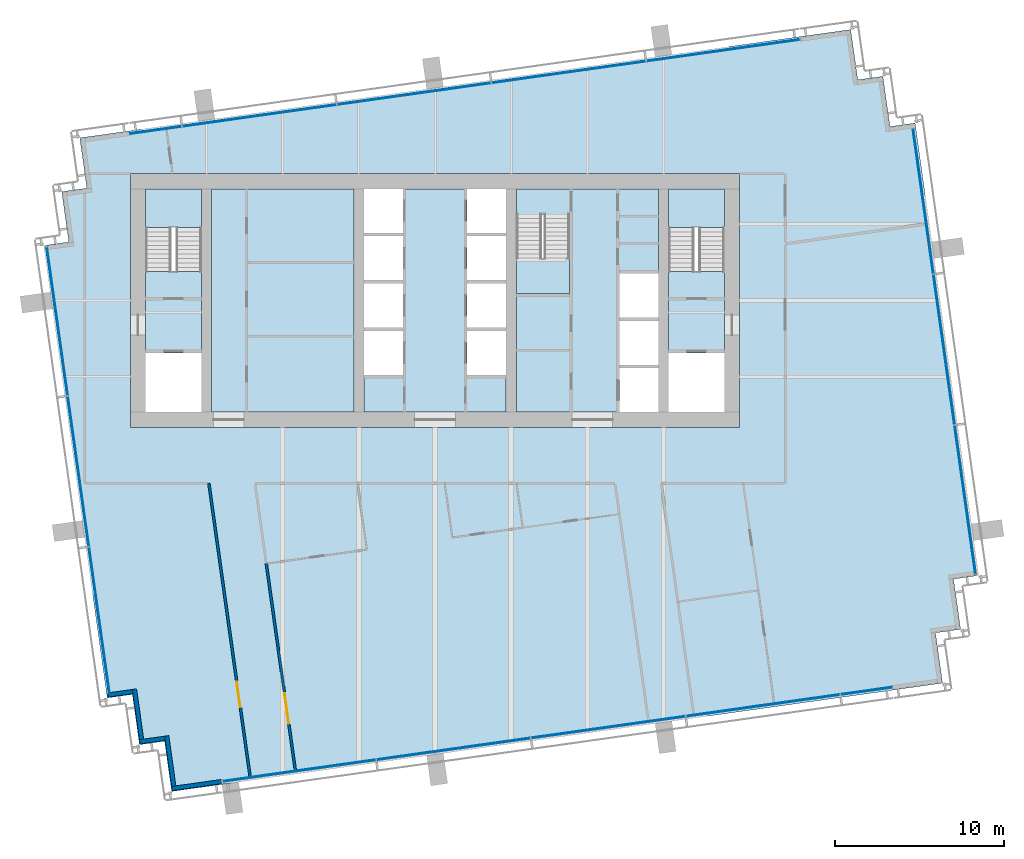
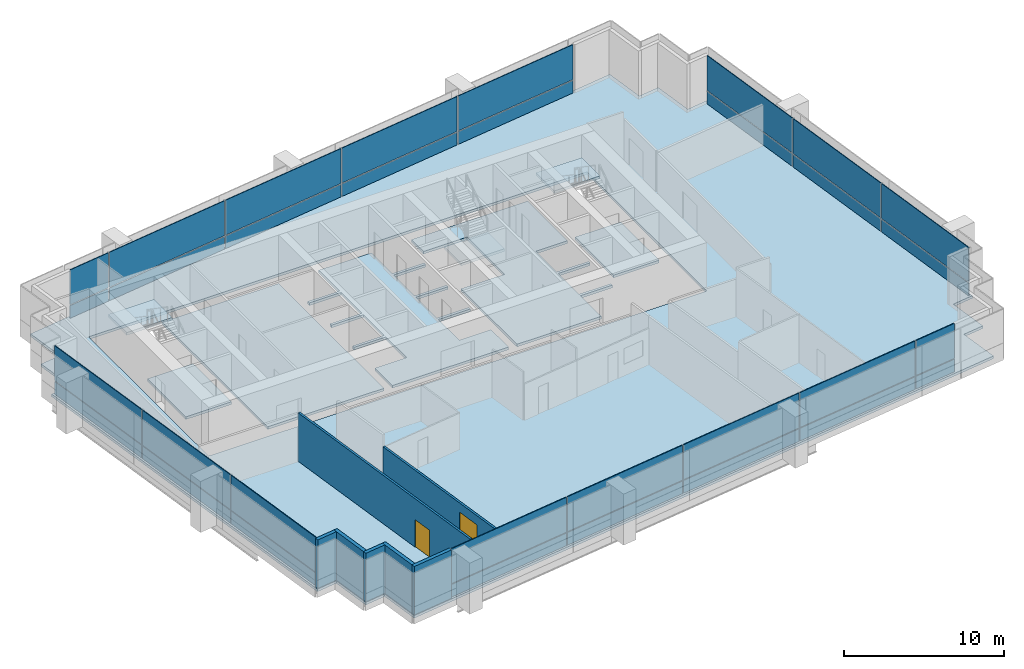
# One storey, part 8 of 17: 32 plates, 9 slabs, 7 walls, 2 doors, 2 openings, 7 elements without a shape of their own.
"""IFC4 building model written with IfcOpenShell, lengths in metres."""

from ifc_helpers import new_model, si_unit, direction, frame, frame_2d, origin, origin_2d, place, context, subcontext, project, spatial, polyline, rectangle, outline, extrude, material, layer, layer_set, type_object, element, fill, aggregate, save


model = new_model("IFC4")

# Units and contexts
model_context = context("Model", 3, precision=1e-05, world=origin(), true_north=direction((0.0, 1.0)))
body_context = subcontext(model_context, "Body", "Model", "MODEL_VIEW")
ifc_project = project(units=[si_unit("LENGTHUNIT", "METRE"), si_unit("AREAUNIT", "SQUARE_METRE"), si_unit("VOLUMEUNIT", "CUBIC_METRE"), si_unit("PLANEANGLEUNIT", "RADIAN"), si_unit("MASSUNIT", "GRAM", prefix="KILO")], contexts=[model_context])

# Site, building, storey
site_placement = place(None, origin())
site = spatial("IfcSite", under=ifc_project, at=site_placement, CompositionType="ELEMENT")
building_placement = place(site_placement, origin())
building = spatial("IfcBuilding", under=site, at=building_placement, Name="Rattan Terrace Tower", CompositionType="ELEMENT")
storey_placement = place(building_placement, frame((0.0, 0.0, 221.300048828125)))
storey = spatial("IfcBuildingStorey", under=building, at=storey_placement, Name="L50", CompositionType="ELEMENT", Elevation=221.300048828125)

# Stair, slab
ifc_material_1 = material(Name="Concrete C40/50", Category="concrete")
stair_type = type_object("IfcStairType", Name="Core exit stair 1500", PredefinedType="HALF_TURN_STAIR", material=ifc_material_1)
stair_1_placement = place(storey_placement, origin())
stair_1 = element("IfcStair", 1, at=stair_1_placement, inside=storey, type_object=stair_type, Name="L50 exit stair 1", PredefinedType="HALF_TURN_STAIR")
ifc_material_2 = material(Name="Concrete C40/50", Category="concrete")
ifc_layer_1 = layer(ifc_material_2, 0.199951171875)
ifc_layer_set_1 = layer_set([ifc_layer_1], Name="Core exit stair landing")
slab_type_1 = type_object("IfcSlabType", Name="Core exit stair landing", PredefinedType="LANDING", material=ifc_layer_set_1)
slab_1_placement = place(storey_placement, frame((0.0, 0.0, 1.75)))
slab_1 = element("IfcSlab", 2, at=slab_1_placement, type_object=slab_type_1, Name="S1 landing 1", PredefinedType="LANDING", context=body_context, shape_type="SweptSolid", body=[
    extrude(outline(polyline([(-13.800048828125, 4.300048828125), (-13.800048828125, 6.60009765625), (-17.10009765625, 6.60009765625), (-17.10009765625, 4.300048828125), (-13.800048828125, 4.300048828125)])), origin(), (0.0, 0.0, 1.0), 0.199951171875),
])
aggregate(stair_1, [slab_1])

stair_2_placement = place(storey_placement, origin())
stair_2 = element("IfcStair", 3, at=stair_2_placement, inside=storey, type_object=stair_type, Name="L50 exit stair 2", PredefinedType="HALF_TURN_STAIR")
slab_2_placement = place(storey_placement, frame((0.0, 0.0, 1.75)))
slab_2 = element("IfcSlab", 4, at=slab_2_placement, type_object=slab_type_1, Name="S2 landing 1", PredefinedType="LANDING", context=body_context, shape_type="SweptSolid", body=[
    extrude(outline(polyline([(17.10009765625, 4.300048828125), (17.10009765625, 6.60009765625), (13.800048828125, 6.60009765625), (13.800048828125, 4.300048828125), (17.10009765625, 4.300048828125)])), origin(), (0.0, 0.0, 1.0), 0.199951171875),
])
aggregate(stair_2, [slab_2])

stair_3_placement = place(storey_placement, origin())
stair_3 = element("IfcStair", 5, at=stair_3_placement, inside=storey, type_object=stair_type, Name="L50 exit stair 3", PredefinedType="HALF_TURN_STAIR")
slab_3_placement = place(storey_placement, frame((0.0, 0.0, 1.75)))
slab_3 = element("IfcSlab", 6, at=slab_3_placement, type_object=slab_type_1, Name="S3 landing 1", PredefinedType="LANDING", context=body_context, shape_type="SweptSolid", body=[
    extrude(outline(polyline([(4.800048828125, 2.5), (4.800048828125, 0.39990234375), (7.949951171875, 0.39990234375), (7.949951171875, 2.5), (4.800048828125, 2.5)])), origin(), (0.0, 0.0, 1.0), 0.199951171875),
])
aggregate(stair_3, [slab_3])

# Slabs
ifc_material_3 = material(Name="Concrete C35/45", Category="concrete")
ifc_layer_2 = layer(ifc_material_3, 0.199951171875)
ifc_layer_set_2 = layer_set([ifc_layer_2], Name="Frame composite floor slab 200")
slab_type_2 = type_object("IfcSlabType", Name="Frame composite floor slab 200", PredefinedType="FLOOR", material=ifc_layer_set_2)
slab_4_placement = place(storey_placement, frame((0.0, 0.0, -0.199951171875)))
element("IfcSlab", 7, at=slab_4_placement, inside=storey, type_object=slab_type_2, Name="Floor slab", PredefinedType="FLOOR", context=body_context, shape_type="SweptSolid", body=[
    extrude(outline(polyline([(-12.591064453125, -28.593994140625), (27.01904296875, -23.027099609375), (29.989990234375, -22.60888671875), (29.572998046875, -19.637939453125), (31.05810546875, -19.429931640625), (30.639892578125, -16.458984375), (32.1259765625, -16.25), (28.367919921875, 10.487060546875), (26.883056640625, 10.278076171875), (26.465087890625, 13.2490234375), (24.97998046875, 13.0400390625), (24.56201171875, 16.010986328125), (21.591064453125, 15.593994140625), (-18.01904296875, 10.027099609375), (-20.989990234375, 9.60888671875), (-20.572998046875, 6.637939453125), (-22.05810546875, 6.429931640625), (-21.639892578125, 3.458984375), (-23.1259765625, 3.25), (-19.367919921875, -23.487060546875), (-17.883056640625, -23.278076171875), (-17.465087890625, -26.2490234375), (-15.97998046875, -26.0400390625), (-15.56201171875, -29.010986328125), (-12.591064453125, -28.593994140625)]), holes=[polyline([(-18.0, -7.5), (18.0, -7.5), (18.0, -6.60009765625), (18.0, 6.60009765625), (18.0, 7.5), (-18.0, 7.5), (-18.0, 6.60009765625), (-18.0, -6.60009765625), (-18.0, -7.5)])]), origin(), (0.0, 0.0, 1.0), 0.199951171875),
])
slab_5_placement = place(storey_placement, frame((0.0, 0.0, -0.199951171875)))
element("IfcSlab", 8, at=slab_5_placement, inside=storey, type_object=slab_type_2, Name="Floor slab", PredefinedType="FLOOR", context=body_context, shape_type="SweptSolid", body=[
    extrude(outline(polyline([(13.199951171875, 6.60009765625), (4.800048828125, 6.60009765625), (4.800048828125, 5.090087890625), (7.949951171875, 5.090087890625), (7.949951171875, 0.39990234375), (4.800048828125, 0.39990234375), (4.800048828125, -6.60009765625), (10.89990234375, -6.60009765625), (10.89990234375, -4.0), (13.199951171875, -4.0), (13.199951171875, -3.800048828125), (10.89990234375, -3.800048828125), (10.89990234375, -1.199951171875), (13.199951171875, -1.199951171875), (13.199951171875, -1.0), (10.89990234375, -1.0), (10.89990234375, 1.60009765625), (13.199951171875, 1.60009765625), (13.199951171875, 6.60009765625)])), origin(), (0.0, 0.0, 1.0), 0.199951171875),
])
slab_6_placement = place(storey_placement, frame((0.0, 0.0, -0.199951171875)))
element("IfcSlab", 9, at=slab_6_placement, inside=storey, type_object=slab_type_2, Name="Floor slab", PredefinedType="FLOOR", context=body_context, shape_type="SweptSolid", body=[
    extrude(outline(polyline([(1.89990234375, 6.60009765625), (-1.89990234375, 6.60009765625), (-1.89990234375, 4.0), (-4.199951171875, 4.0), (-4.199951171875, 3.800048828125), (-1.89990234375, 3.800048828125), (-1.89990234375, 1.199951171875), (-4.199951171875, 1.199951171875), (-4.199951171875, 1.0), (-1.89990234375, 1.0), (-1.89990234375, -1.60009765625), (-4.199951171875, -1.60009765625), (-4.199951171875, -1.800048828125), (-1.89990234375, -1.800048828125), (-1.89990234375, -4.39990234375), (-4.199951171875, -4.39990234375), (-4.199951171875, -6.60009765625), (4.199951171875, -6.60009765625), (4.199951171875, -4.39990234375), (1.89990234375, -4.39990234375), (1.89990234375, -1.800048828125), (4.199951171875, -1.800048828125), (4.199951171875, -1.60009765625), (1.89990234375, -1.60009765625), (1.89990234375, 1.0), (4.199951171875, 1.0), (4.199951171875, 1.199951171875), (1.89990234375, 1.199951171875), (1.89990234375, 3.800048828125), (4.199951171875, 3.800048828125), (4.199951171875, 4.0), (1.89990234375, 4.0), (1.89990234375, 6.60009765625)])), origin(), (0.0, 0.0, 1.0), 0.199951171875),
])
slab_7_placement = place(storey_placement, frame((0.0, 0.0, -0.199951171875)))
element("IfcSlab", 10, at=slab_7_placement, inside=storey, type_object=slab_type_2, Name="Floor slab", PredefinedType="FLOOR", context=body_context, shape_type="SweptSolid", body=[
    extrude(outline(polyline([(-17.10009765625, -3.10009765625), (-13.800048828125, -3.10009765625), (-13.800048828125, 1.7099609375), (-17.10009765625, 1.7099609375), (-17.10009765625, -3.10009765625)])), origin(), (0.0, 0.0, 1.0), 0.199951171875),
])
slab_8_placement = place(storey_placement, frame((0.0, 0.0, -0.199951171875)))
element("IfcSlab", 11, at=slab_8_placement, inside=storey, type_object=slab_type_2, Name="Floor slab", PredefinedType="FLOOR", context=body_context, shape_type="SweptSolid", body=[
    extrude(outline(polyline([(-4.800048828125, -6.60009765625), (-4.800048828125, 6.60009765625), (-13.199951171875, 6.60009765625), (-13.199951171875, -6.60009765625), (-4.800048828125, -6.60009765625)])), origin(), (0.0, 0.0, 1.0), 0.199951171875),
])
slab_9_placement = place(storey_placement, frame((0.0, 0.0, -0.199951171875)))
element("IfcSlab", 12, at=slab_9_placement, inside=storey, type_object=slab_type_2, Name="Floor slab", PredefinedType="FLOOR", context=body_context, shape_type="SweptSolid", body=[
    extrude(outline(polyline([(13.800048828125, -3.10009765625), (17.10009765625, -3.10009765625), (17.10009765625, 1.7099609375), (13.800048828125, 1.7099609375), (13.800048828125, -3.10009765625)])), origin(), (0.0, 0.0, 1.0), 0.199951171875),
])

# Curtain wall, plates
ifc_material_4 = material(Name="Aluminium and laminated glass", Category="aluminium")
ifc_layer_3 = layer(ifc_material_4, 0.199951171875)
ifc_layer_set_3 = layer_set([ifc_layer_3], Name="High-Zone Unitised Curtain Wall")
curtain_wall_type = type_object("IfcCurtainWallType", Name="High-Zone Unitised Curtain Wall", PredefinedType="NOTDEFINED", material=ifc_layer_set_3)
curtain_wall_1_placement = place(storey_placement, origin())
curtain_wall_1 = element("IfcCurtainWall", 13, at=curtain_wall_1_placement, inside=storey, type_object=curtain_wall_type, Name="High-zone curtain wall L50-1", PredefinedType="NOTDEFINED")
ifc_material_5 = material(Name="Aluminium insulated spandrel panel", Category="aluminium")
ifc_layer_4 = layer(ifc_material_5, 0.050048828125)
ifc_layer_set_4 = layer_set([ifc_layer_4], Name="High-Zone CW Spandrel Panel")
plate_type_1 = type_object("IfcPlateType", Name="High-Zone CW Spandrel Panel", PredefinedType="CURTAIN_PANEL", material=ifc_layer_set_4)
plate_1_placement = place(storey_placement, frame((31.32568359375, -11.77783203125, 0.0), z_axis=(0.0, 0.0, 1.0), x_axis=(-0.139186165309, 0.990266232579, 0.0)))
plate_1 = element("IfcPlate", 14, at=plate_1_placement, type_object=plate_type_1, Name="Panel cwl-L50-001.1.1", PredefinedType="CURTAIN_PANEL", context=body_context, shape_type="SweptSolid", body=[
    extrude(rectangle(XDim=8.85009765625, YDim=0.050048828125, at=origin_2d()), origin(), (0.0, 0.0, 1.0), 0.965087890625),
])
plate_2_placement = place(storey_placement, frame((30.07861328125, -2.905029296875, 0.0), z_axis=(0.0, 0.0, 1.0), x_axis=(-0.139186165309, 0.990266232579, 0.0)))
plate_2 = element("IfcPlate", 15, at=plate_2_placement, type_object=plate_type_1, Name="Panel cwl-L50-001.2.1", PredefinedType="CURTAIN_PANEL", context=body_context, shape_type="SweptSolid", body=[
    extrude(rectangle(XDim=8.929931640625, YDim=0.050048828125, at=origin_2d()), origin(), (0.0, 0.0, 1.0), 0.965087890625),
])
plate_3_placement = place(storey_placement, frame((28.843994140625, 5.87841796875, 0.0), z_axis=(0.0, 0.0, 1.0), x_axis=(-0.139186165309, 0.990266232579, 0.0)))
plate_3 = element("IfcPlate", 16, at=plate_3_placement, type_object=plate_type_1, Name="Panel cwl-L50-001.3.1", PredefinedType="CURTAIN_PANEL", context=body_context, shape_type="SweptSolid", body=[
    extrude(rectangle(XDim=8.669677734375, YDim=0.050048828125, at=origin_2d()), origin(), (0.0, 0.0, 1.0), 0.965087890625),
])

curtain_wall_2_placement = place(storey_placement, origin())
curtain_wall_2 = element("IfcCurtainWall", 17, at=curtain_wall_2_placement, inside=storey, type_object=curtain_wall_type, Name="High-zone curtain wall L50-2", PredefinedType="NOTDEFINED")
plate_4_placement = place(storey_placement, frame((17.02685546875, 14.78076171875, 0.0), z_axis=(0.0, 0.0, 1.0), x_axis=(-0.990267457022, -0.139177453499, 0.0)))
plate_4 = element("IfcPlate", 18, at=plate_4_placement, type_object=plate_type_1, Name="Panel cwl-L50-002.1.1", PredefinedType="CURTAIN_PANEL", context=body_context, shape_type="SweptSolid", body=[
    extrude(rectangle(XDim=9.1259765625, YDim=0.050048828125, at=origin_2d()), origin(), (0.0, 0.0, 1.0), 0.965087890625),
])
plate_5_placement = place(storey_placement, frame((7.90283203125, 13.49853515625, 0.0), z_axis=(0.0, 0.0, 1.0), x_axis=(-0.990267457022, -0.139177453499, 0.0)))
plate_5 = element("IfcPlate", 19, at=plate_5_placement, type_object=plate_type_1, Name="Panel cwl-L50-002.2.1", PredefinedType="CURTAIN_PANEL", context=body_context, shape_type="SweptSolid", body=[
    extrude(rectangle(XDim=9.160888671875, YDim=0.050048828125, at=origin_2d()), origin(), (0.0, 0.0, 1.0), 0.965087890625),
])
plate_6_placement = place(storey_placement, frame((-1.23828125, 12.2138671875, 0.0), z_axis=(0.0, 0.0, 1.0), x_axis=(-0.990267457022, -0.139177453499, 0.0)))
plate_6 = element("IfcPlate", 20, at=plate_6_placement, type_object=plate_type_1, Name="Panel cwl-L50-002.3.1", PredefinedType="CURTAIN_PANEL", context=body_context, shape_type="SweptSolid", body=[
    extrude(rectangle(XDim=9.160888671875, YDim=0.050048828125, at=origin_2d()), origin(), (0.0, 0.0, 1.0), 0.965087890625),
])
plate_7_placement = place(storey_placement, frame((-10.37939453125, 10.928955078125, 0.0), z_axis=(0.0, 0.0, 1.0), x_axis=(-0.990267457022, -0.139177453499, 0.0)))
plate_7 = element("IfcPlate", 21, at=plate_7_placement, type_object=plate_type_1, Name="Panel cwl-L50-002.4.1", PredefinedType="CURTAIN_PANEL", context=body_context, shape_type="SweptSolid", body=[
    extrude(rectangle(XDim=9.160888671875, YDim=0.050048828125, at=origin_2d()), origin(), (0.0, 0.0, 1.0), 0.965087890625),
])
plate_8_placement = place(storey_placement, frame((-16.489990234375, 10.0703125, 0.0), z_axis=(0.0, 0.0, 1.0), x_axis=(-0.990267457022, -0.139177453499, 0.0)))
plate_8 = element("IfcPlate", 22, at=plate_8_placement, type_object=plate_type_1, Name="Panel cwl-L50-002.5.1", PredefinedType="CURTAIN_PANEL", context=body_context, shape_type="SweptSolid", body=[
    extrude(rectangle(XDim=3.040283203125, YDim=0.050048828125, at=origin_2d()), origin(), (0.0, 0.0, 1.0), 0.965087890625),
])

curtain_wall_3_placement = place(storey_placement, origin())
curtain_wall_3 = element("IfcCurtainWall", 23, at=curtain_wall_3_placement, inside=storey, type_object=curtain_wall_type, Name="High-zone curtain wall L50-3", PredefinedType="NOTDEFINED")
plate_9_placement = place(storey_placement, frame((-22.32568359375, -1.22216796875, 0.0), z_axis=(0.0, 0.0, 1.0), x_axis=(0.139186165309, -0.990266232579, 0.0)))
plate_9 = element("IfcPlate", 24, at=plate_9_placement, type_object=plate_type_1, Name="Panel cwl-L50-003.1.1", PredefinedType="CURTAIN_PANEL", context=body_context, shape_type="SweptSolid", body=[
    extrude(rectangle(XDim=8.85009765625, YDim=0.050048828125, at=origin_2d()), origin(), (0.0, 0.0, 1.0), 0.965087890625),
])
plate_10_placement = place(storey_placement, frame((-21.07861328125, -10.094970703125, 0.0), z_axis=(0.0, 0.0, 1.0), x_axis=(0.139186165309, -0.990266232579, 0.0)))
plate_10 = element("IfcPlate", 25, at=plate_10_placement, type_object=plate_type_1, Name="Panel cwl-L50-003.2.1", PredefinedType="CURTAIN_PANEL", context=body_context, shape_type="SweptSolid", body=[
    extrude(rectangle(XDim=8.929931640625, YDim=0.050048828125, at=origin_2d()), origin(), (0.0, 0.0, 1.0), 0.965087890625),
])
plate_11_placement = place(storey_placement, frame((-19.843994140625, -18.87841796875, 0.0), z_axis=(0.0, 0.0, 1.0), x_axis=(0.139186165309, -0.990266232579, 0.0)))
plate_11 = element("IfcPlate", 26, at=plate_11_placement, type_object=plate_type_1, Name="Panel cwl-L50-003.3.1", PredefinedType="CURTAIN_PANEL", context=body_context, shape_type="SweptSolid", body=[
    extrude(rectangle(XDim=8.669677734375, YDim=0.050048828125, at=origin_2d()), origin(), (0.0, 0.0, 1.0), 0.965087890625),
])

curtain_wall_4_placement = place(storey_placement, origin())
curtain_wall_4 = element("IfcCurtainWall", 27, at=curtain_wall_4_placement, inside=storey, type_object=curtain_wall_type, Name="High-zone curtain wall L50-4", PredefinedType="NOTDEFINED")
plate_12_placement = place(storey_placement, frame((-8.02685546875, -27.78076171875, 0.0), z_axis=(0.0, 0.0, 1.0), x_axis=(0.990267457022, 0.139177453499, 0.0)))
plate_12 = element("IfcPlate", 28, at=plate_12_placement, type_object=plate_type_1, Name="Panel cwl-L50-004.1.1", PredefinedType="CURTAIN_PANEL", context=body_context, shape_type="SweptSolid", body=[
    extrude(rectangle(XDim=9.1259765625, YDim=0.050048828125, at=origin_2d()), origin(), (0.0, 0.0, 1.0), 0.965087890625),
])
plate_13_placement = place(storey_placement, frame((1.09716796875, -26.49853515625, 0.0), z_axis=(0.0, 0.0, 1.0), x_axis=(0.990267457022, 0.139177453499, 0.0)))
plate_13 = element("IfcPlate", 29, at=plate_13_placement, type_object=plate_type_1, Name="Panel cwl-L50-004.2.1", PredefinedType="CURTAIN_PANEL", context=body_context, shape_type="SweptSolid", body=[
    extrude(rectangle(XDim=9.160888671875, YDim=0.050048828125, at=origin_2d()), origin(), (0.0, 0.0, 1.0), 0.965087890625),
])
plate_14_placement = place(storey_placement, frame((10.23828125, -25.2138671875, 0.0), z_axis=(0.0, 0.0, 1.0), x_axis=(0.990267457022, 0.139177453499, 0.0)))
plate_14 = element("IfcPlate", 30, at=plate_14_placement, type_object=plate_type_1, Name="Panel cwl-L50-004.3.1", PredefinedType="CURTAIN_PANEL", context=body_context, shape_type="SweptSolid", body=[
    extrude(rectangle(XDim=9.160888671875, YDim=0.050048828125, at=origin_2d()), origin(), (0.0, 0.0, 1.0), 0.965087890625),
])
plate_15_placement = place(storey_placement, frame((19.37939453125, -23.928955078125, 0.0), z_axis=(0.0, 0.0, 1.0), x_axis=(0.990267457022, 0.139177453499, 0.0)))
plate_15 = element("IfcPlate", 31, at=plate_15_placement, type_object=plate_type_1, Name="Panel cwl-L50-004.4.1", PredefinedType="CURTAIN_PANEL", context=body_context, shape_type="SweptSolid", body=[
    extrude(rectangle(XDim=9.160888671875, YDim=0.050048828125, at=origin_2d()), origin(), (0.0, 0.0, 1.0), 0.965087890625),
])
plate_16_placement = place(storey_placement, frame((25.489990234375, -23.0703125, 0.0), z_axis=(0.0, 0.0, 1.0), x_axis=(0.990267457022, 0.139177453499, 0.0)))
plate_16 = element("IfcPlate", 32, at=plate_16_placement, type_object=plate_type_1, Name="Panel cwl-L50-004.5.1", PredefinedType="CURTAIN_PANEL", context=body_context, shape_type="SweptSolid", body=[
    extrude(rectangle(XDim=3.040283203125, YDim=0.050048828125, at=origin_2d()), origin(), (0.0, 0.0, 1.0), 0.965087890625),
])

# Plate
ifc_material_6 = material(Name="Laminated low-iron glass", Category="glass")
ifc_layer_5 = layer(ifc_material_6, 0.055908203125)
ifc_layer_set_5 = layer_set([ifc_layer_5], Name="High-Zone CW Vision Panel")
plate_type_2 = type_object("IfcPlateType", Name="High-Zone CW Vision Panel", PredefinedType="CURTAIN_PANEL", material=ifc_layer_set_5)
plate_17_placement = place(storey_placement, frame((31.32568359375, -11.77783203125, 1.034912109375), z_axis=(0.0, 0.0, 1.0), x_axis=(-0.139186165309, 0.990266232579, 0.0)))
plate_17 = element("IfcPlate", 33, at=plate_17_placement, type_object=plate_type_2, Name="Panel cwl-L50-001.1.2", PredefinedType="CURTAIN_PANEL", context=body_context, shape_type="SweptSolid", body=[
    extrude(rectangle(XDim=8.85009765625, YDim=0.055908203125, at=origin_2d()), origin(), (0.0, 0.0, 1.0), 2.6650390625),
])

plate_18_placement = place(storey_placement, frame((30.07861328125, -2.905029296875, 1.034912109375), z_axis=(0.0, 0.0, 1.0), x_axis=(-0.139186165309, 0.990266232579, 0.0)))
plate_18 = element("IfcPlate", 34, at=plate_18_placement, type_object=plate_type_2, Name="Panel cwl-L50-001.2.2", PredefinedType="CURTAIN_PANEL", context=body_context, shape_type="SweptSolid", body=[
    extrude(rectangle(XDim=8.929931640625, YDim=0.055908203125, at=origin_2d()), origin(), (0.0, 0.0, 1.0), 2.6650390625),
])

plate_19_placement = place(storey_placement, frame((28.843994140625, 5.87841796875, 1.034912109375), z_axis=(0.0, 0.0, 1.0), x_axis=(-0.139186165309, 0.990266232579, 0.0)))
plate_19 = element("IfcPlate", 35, at=plate_19_placement, type_object=plate_type_2, Name="Panel cwl-L50-001.3.2", PredefinedType="CURTAIN_PANEL", context=body_context, shape_type="SweptSolid", body=[
    extrude(rectangle(XDim=8.669677734375, YDim=0.055908203125, at=origin_2d()), origin(), (0.0, 0.0, 1.0), 2.6650390625),
])

aggregate(curtain_wall_1, [plate_1, plate_17, plate_2, plate_18, plate_3, plate_19])

plate_20_placement = place(storey_placement, frame((17.02685546875, 14.78076171875, 1.034912109375), z_axis=(0.0, 0.0, 1.0), x_axis=(-0.990267457022, -0.139177453499, 0.0)))
plate_20 = element("IfcPlate", 36, at=plate_20_placement, type_object=plate_type_2, Name="Panel cwl-L50-002.1.2", PredefinedType="CURTAIN_PANEL", context=body_context, shape_type="SweptSolid", body=[
    extrude(rectangle(XDim=9.1259765625, YDim=0.055908203125, at=origin_2d()), origin(), (0.0, 0.0, 1.0), 2.6650390625),
])

plate_21_placement = place(storey_placement, frame((7.90283203125, 13.49853515625, 1.034912109375), z_axis=(0.0, 0.0, 1.0), x_axis=(-0.990267457022, -0.139177453499, 0.0)))
plate_21 = element("IfcPlate", 37, at=plate_21_placement, type_object=plate_type_2, Name="Panel cwl-L50-002.2.2", PredefinedType="CURTAIN_PANEL", context=body_context, shape_type="SweptSolid", body=[
    extrude(rectangle(XDim=9.160888671875, YDim=0.055908203125, at=origin_2d()), origin(), (0.0, 0.0, 1.0), 2.6650390625),
])

plate_22_placement = place(storey_placement, frame((-1.23828125, 12.2138671875, 1.034912109375), z_axis=(0.0, 0.0, 1.0), x_axis=(-0.990267457022, -0.139177453499, 0.0)))
plate_22 = element("IfcPlate", 38, at=plate_22_placement, type_object=plate_type_2, Name="Panel cwl-L50-002.3.2", PredefinedType="CURTAIN_PANEL", context=body_context, shape_type="SweptSolid", body=[
    extrude(rectangle(XDim=9.160888671875, YDim=0.055908203125, at=origin_2d()), origin(), (0.0, 0.0, 1.0), 2.6650390625),
])

plate_23_placement = place(storey_placement, frame((-10.37939453125, 10.928955078125, 1.034912109375), z_axis=(0.0, 0.0, 1.0), x_axis=(-0.990267457022, -0.139177453499, 0.0)))
plate_23 = element("IfcPlate", 39, at=plate_23_placement, type_object=plate_type_2, Name="Panel cwl-L50-002.4.2", PredefinedType="CURTAIN_PANEL", context=body_context, shape_type="SweptSolid", body=[
    extrude(rectangle(XDim=9.160888671875, YDim=0.055908203125, at=origin_2d()), origin(), (0.0, 0.0, 1.0), 2.6650390625),
])

plate_24_placement = place(storey_placement, frame((-16.489990234375, 10.0703125, 1.034912109375), z_axis=(0.0, 0.0, 1.0), x_axis=(-0.990267457022, -0.139177453499, 0.0)))
plate_24 = element("IfcPlate", 40, at=plate_24_placement, type_object=plate_type_2, Name="Panel cwl-L50-002.5.2", PredefinedType="CURTAIN_PANEL", context=body_context, shape_type="SweptSolid", body=[
    extrude(rectangle(XDim=3.040283203125, YDim=0.055908203125, at=origin_2d()), origin(), (0.0, 0.0, 1.0), 2.6650390625),
])

aggregate(curtain_wall_2, [plate_4, plate_20, plate_5, plate_21, plate_6, plate_22, plate_7, plate_23, plate_8, plate_24])

plate_25_placement = place(storey_placement, frame((-22.32568359375, -1.22216796875, 1.034912109375), z_axis=(0.0, 0.0, 1.0), x_axis=(0.139186165309, -0.990266232579, 0.0)))
plate_25 = element("IfcPlate", 41, at=plate_25_placement, type_object=plate_type_2, Name="Panel cwl-L50-003.1.2", PredefinedType="CURTAIN_PANEL", context=body_context, shape_type="SweptSolid", body=[
    extrude(rectangle(XDim=8.85009765625, YDim=0.055908203125, at=origin_2d()), origin(), (0.0, 0.0, 1.0), 2.6650390625),
])

plate_26_placement = place(storey_placement, frame((-21.07861328125, -10.094970703125, 1.034912109375), z_axis=(0.0, 0.0, 1.0), x_axis=(0.139186165309, -0.990266232579, 0.0)))
plate_26 = element("IfcPlate", 42, at=plate_26_placement, type_object=plate_type_2, Name="Panel cwl-L50-003.2.2", PredefinedType="CURTAIN_PANEL", context=body_context, shape_type="SweptSolid", body=[
    extrude(rectangle(XDim=8.929931640625, YDim=0.055908203125, at=origin_2d()), origin(), (0.0, 0.0, 1.0), 2.6650390625),
])

plate_27_placement = place(storey_placement, frame((-19.843994140625, -18.87841796875, 1.034912109375), z_axis=(0.0, 0.0, 1.0), x_axis=(0.139186165309, -0.990266232579, 0.0)))
plate_27 = element("IfcPlate", 43, at=plate_27_placement, type_object=plate_type_2, Name="Panel cwl-L50-003.3.2", PredefinedType="CURTAIN_PANEL", context=body_context, shape_type="SweptSolid", body=[
    extrude(rectangle(XDim=8.669677734375, YDim=0.055908203125, at=origin_2d()), origin(), (0.0, 0.0, 1.0), 2.6650390625),
])

aggregate(curtain_wall_3, [plate_9, plate_25, plate_10, plate_26, plate_11, plate_27])

plate_28_placement = place(storey_placement, frame((-8.02685546875, -27.78076171875, 1.034912109375), z_axis=(0.0, 0.0, 1.0), x_axis=(0.990267457022, 0.139177453499, 0.0)))
plate_28 = element("IfcPlate", 44, at=plate_28_placement, type_object=plate_type_2, Name="Panel cwl-L50-004.1.2", PredefinedType="CURTAIN_PANEL", context=body_context, shape_type="SweptSolid", body=[
    extrude(rectangle(XDim=9.1259765625, YDim=0.055908203125, at=origin_2d()), origin(), (0.0, 0.0, 1.0), 2.6650390625),
])

plate_29_placement = place(storey_placement, frame((1.09716796875, -26.49853515625, 1.034912109375), z_axis=(0.0, 0.0, 1.0), x_axis=(0.990267457022, 0.139177453499, 0.0)))
plate_29 = element("IfcPlate", 45, at=plate_29_placement, type_object=plate_type_2, Name="Panel cwl-L50-004.2.2", PredefinedType="CURTAIN_PANEL", context=body_context, shape_type="SweptSolid", body=[
    extrude(rectangle(XDim=9.160888671875, YDim=0.055908203125, at=origin_2d()), origin(), (0.0, 0.0, 1.0), 2.6650390625),
])

plate_30_placement = place(storey_placement, frame((10.23828125, -25.2138671875, 1.034912109375), z_axis=(0.0, 0.0, 1.0), x_axis=(0.990267457022, 0.139177453499, 0.0)))
plate_30 = element("IfcPlate", 46, at=plate_30_placement, type_object=plate_type_2, Name="Panel cwl-L50-004.3.2", PredefinedType="CURTAIN_PANEL", context=body_context, shape_type="SweptSolid", body=[
    extrude(rectangle(XDim=9.160888671875, YDim=0.055908203125, at=origin_2d()), origin(), (0.0, 0.0, 1.0), 2.6650390625),
])

plate_31_placement = place(storey_placement, frame((19.37939453125, -23.928955078125, 1.034912109375), z_axis=(0.0, 0.0, 1.0), x_axis=(0.990267457022, 0.139177453499, 0.0)))
plate_31 = element("IfcPlate", 47, at=plate_31_placement, type_object=plate_type_2, Name="Panel cwl-L50-004.4.2", PredefinedType="CURTAIN_PANEL", context=body_context, shape_type="SweptSolid", body=[
    extrude(rectangle(XDim=9.160888671875, YDim=0.055908203125, at=origin_2d()), origin(), (0.0, 0.0, 1.0), 2.6650390625),
])

plate_32_placement = place(storey_placement, frame((25.489990234375, -23.0703125, 1.034912109375), z_axis=(0.0, 0.0, 1.0), x_axis=(0.990267457022, 0.139177453499, 0.0)))
plate_32 = element("IfcPlate", 48, at=plate_32_placement, type_object=plate_type_2, Name="Panel cwl-L50-004.5.2", PredefinedType="CURTAIN_PANEL", context=body_context, shape_type="SweptSolid", body=[
    extrude(rectangle(XDim=3.040283203125, YDim=0.055908203125, at=origin_2d()), origin(), (0.0, 0.0, 1.0), 2.6650390625),
])

aggregate(curtain_wall_4, [plate_12, plate_28, plate_13, plate_29, plate_14, plate_30, plate_15, plate_31, plate_16, plate_32])

# Walls
ifc_material_7 = material(Name="Insulated aluminium-clad stud wall", Category="aluminium")
ifc_layer_6 = layer(ifc_material_7, 0.25)
ifc_layer_set_6 = layer_set([ifc_layer_6], Name="Facade Riser Wall 250")
wall_type_1 = type_object("IfcWallType", Name="Facade Riser Wall 250", PredefinedType="SOLIDWALL", material=ifc_layer_set_6)
wall_1_placement = place(storey_placement, frame((-19.322265625, -23.308837890625, 0.0), z_axis=(0.0, 0.0, 1.0), x_axis=(0.990235520307, 0.13940449893, 0.0)))
element("IfcWall", 49, at=wall_1_placement, inside=storey, type_object=wall_type_1, Name="Riser wall L50-16", PredefinedType="SOLIDWALL", context=body_context, shape_type="SweptSolid", body=[
    extrude(rectangle(XDim=1.474609375, YDim=0.25, at=frame_2d((0.7373046875, 0.0))), origin(), (0.0, 0.0, 1.0), 3.699951171875),
])
wall_2_placement = place(storey_placement, frame((-17.755859375, -22.962158203125, 0.0), z_axis=(0.0, 0.0, 1.0), x_axis=(0.139393225799, -0.990237107263, 0.0)))
element("IfcWall", 50, at=wall_2_placement, inside=storey, type_object=wall_type_1, Name="Riser wall L50-17", PredefinedType="SOLIDWALL", context=body_context, shape_type="SweptSolid", body=[
    extrude(rectangle(XDim=3.000244140625, YDim=0.25, at=frame_2d((1.5, 0.0))), origin(), (0.0, 0.0, 1.0), 3.699951171875),
])
wall_3_placement = place(storey_placement, frame((-17.444091796875, -26.074462890625, 0.0), z_axis=(0.0, 0.0, 1.0), x_axis=(0.990240434918, 0.139369584395, 0.0)))
element("IfcWall", 51, at=wall_3_placement, inside=storey, type_object=wall_type_1, Name="Riser wall L50-18", PredefinedType="SOLIDWALL", context=body_context, shape_type="SweptSolid", body=[
    extrude(rectangle(XDim=1.49951171875, YDim=0.25, at=frame_2d((0.749755859375, 0.0))), origin(), (0.0, 0.0, 1.0), 3.699951171875),
])
wall_4_placement = place(storey_placement, frame((-15.852783203125, -25.72412109375, 0.0), z_axis=(0.0, 0.0, 1.0), x_axis=(0.139302206688, -0.990249915532, 0.0)))
element("IfcWall", 52, at=wall_4_placement, inside=storey, type_object=wall_type_1, Name="Riser wall L50-19", PredefinedType="SOLIDWALL", context=body_context, shape_type="SweptSolid", body=[
    extrude(rectangle(XDim=3.00048828125, YDim=0.25, at=frame_2d((1.500244140625, 0.0))), origin(), (0.0, 0.0, 1.0), 3.699951171875),
])
wall_5_placement = place(storey_placement, frame((-15.541015625, -28.83642578125, 0.0), z_axis=(0.0, 0.0, 1.0), x_axis=(0.990285396533, 0.139049751574, 0.0)))
element("IfcWall", 53, at=wall_5_placement, inside=storey, type_object=wall_type_1, Name="Riser wall L50-20", PredefinedType="SOLIDWALL", context=body_context, shape_type="SweptSolid", body=[
    extrude(rectangle(XDim=2.955078125, YDim=0.25, at=frame_2d((1.4775390625, 0.0))), origin(), (0.0, 0.0, 1.0), 3.699951171875),
])

# Wall, opening, door
ifc_material_8 = material(Name="Gypsum board partition on steel studs, fire rated", Category="steel")
ifc_layer_7 = layer(ifc_material_8, 0.14990234375)
ifc_layer_set_7 = layer_set([ifc_layer_7], Name="Floors Tenancy Wall 150")
wall_type_2 = type_object("IfcWallType", Name="Floors Tenancy Wall 150", PredefinedType="PARTITIONING", material=ifc_layer_set_7)
wall_6_placement = place(storey_placement, frame((-10.931884765625, -28.09912109375, 0.0), z_axis=(0.0, 0.0, 1.0), x_axis=(-0.139168963114, 0.990268650269, 0.0)))
wall_6 = element("IfcWall", 54, at=wall_6_placement, inside=storey, type_object=wall_type_2, Name="pt-L50-003", PredefinedType="PARTITIONING", context=body_context, shape_type="SweptSolid", body=[
    extrude(rectangle(XDim=17.468994140625, YDim=0.14990234375, at=frame_2d((8.734375, 0.0))), origin(), (0.0, 0.0, 1.0), 3.699951171875),
])
opening_1_placement = place(wall_6_placement, frame((4.116943359375, 0.0, 0.0)))
opening_1 = element("IfcOpeningElement", 55, at=opening_1_placement, cuts=wall_6, Name="Opening L50-D100", PredefinedType="OPENING", context=body_context, shape_type="SweptSolid", body=[
    extrude(rectangle(XDim=1.5, YDim=2.10009765625, at=frame_2d((0.75, 1.050048828125))), frame((0.0, 0.08544921875, 0.0), z_axis=(0.0, -1.0, 0.0), x_axis=(1.0, 0.0, 0.0)), (0.0, 0.0, 1.0), 0.1708984375),
])
ifc_material_9 = material(Name="Steel fire door set", Category="steel")
door_type_1 = type_object("IfcDoorType", Name="Floors Unit Door Pair FD30S 1500x2100", OperationType="NOTDEFINED", PredefinedType="DOOR", material=ifc_material_9)
door_1_placement = place(opening_1_placement, origin())
door_1 = element("IfcDoor", 56, at=door_1_placement, inside=storey, type_object=door_type_1, Name="d-L50-100", OperationType="DOUBLE_DOOR_SINGLE_SWING", OverallHeight=2.10009765625, OverallWidth=1.5, PredefinedType="DOOR", context=body_context, shape_type="SweptSolid", body=[
    extrude(rectangle(XDim=1.5, YDim=2.10009765625, at=frame_2d((0.75, 1.050048828125))), frame((0.0, 0.02490234375, 0.0), z_axis=(0.0, -1.0, 0.0), x_axis=(1.0, 0.0, 0.0)), (0.0, 0.0, 1.0), 0.050048828125),
])
fill(opening_1, door_1)

wall_7_placement = place(storey_placement, frame((-9.971923828125, -15.532958984375, 0.0), z_axis=(0.0, 0.0, 1.0), x_axis=(0.139149686673, -0.990271359123, 0.0)))
wall_7 = element("IfcWall", 57, at=wall_7_placement, inside=storey, type_object=wall_type_2, Name="pt-L50-012", PredefinedType="PARTITIONING", context=body_context, shape_type="SweptSolid", body=[
    extrude(rectangle(XDim=12.309814453125, YDim=0.14990234375, at=frame_2d((6.15478515625, 0.0))), origin(), (0.0, 0.0, 1.0), 2.800048828125),
])
opening_2_placement = place(wall_7_placement, frame((7.757080078125, 0.0, 0.0)))
opening_2 = element("IfcOpeningElement", 58, at=opening_2_placement, cuts=wall_7, Name="Opening L50-D106", PredefinedType="OPENING", context=body_context, shape_type="SweptSolid", body=[
    extrude(rectangle(XDim=1.800048828125, YDim=2.10009765625, at=frame_2d((0.89990234375, 1.050048828125))), frame((0.0, 0.08544921875, 0.0), z_axis=(0.0, -1.0, 0.0), x_axis=(1.0, 0.0, 0.0)), (0.0, 0.0, 1.0), 0.1708984375),
])
ifc_material_10 = material(Name="Steel fire door set", Category="steel")
door_type_2 = type_object("IfcDoorType", Name="Floors Fire Door Pair FD30S 1800x2100", OperationType="NOTDEFINED", PredefinedType="DOOR", material=ifc_material_10)
door_2_placement = place(opening_2_placement, origin())
door_2 = element("IfcDoor", 59, at=door_2_placement, inside=storey, type_object=door_type_2, Name="d-L50-106", OperationType="DOUBLE_DOOR_SINGLE_SWING", OverallHeight=2.10009765625, OverallWidth=1.800048828125, PredefinedType="DOOR", context=body_context, shape_type="SweptSolid", body=[
    extrude(rectangle(XDim=1.800048828125, YDim=2.10009765625, at=frame_2d((0.89990234375, 1.050048828125))), frame((0.0, 0.02490234375, 0.0), z_axis=(0.0, -1.0, 0.0), x_axis=(1.0, 0.0, 0.0)), (0.0, 0.0, 1.0), 0.050048828125),
])
fill(opening_2, door_2)

save(model, "model.ifc")
